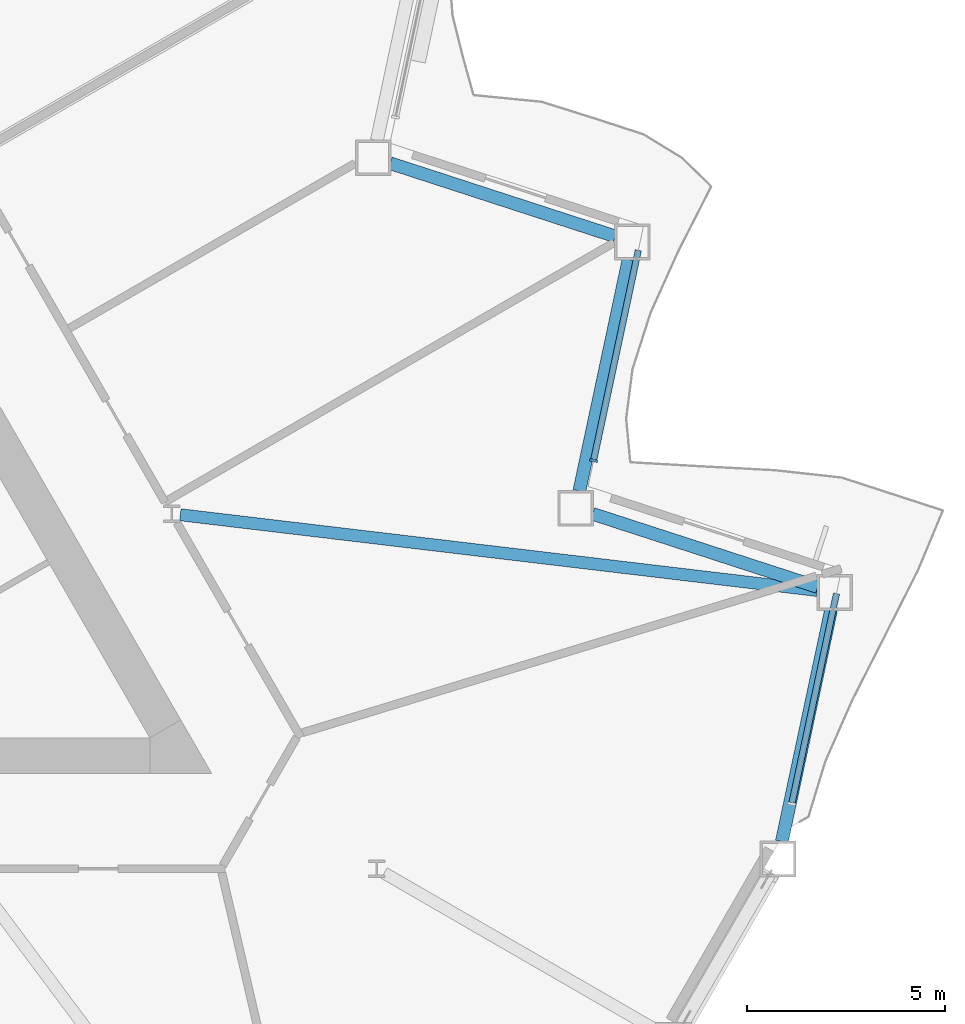
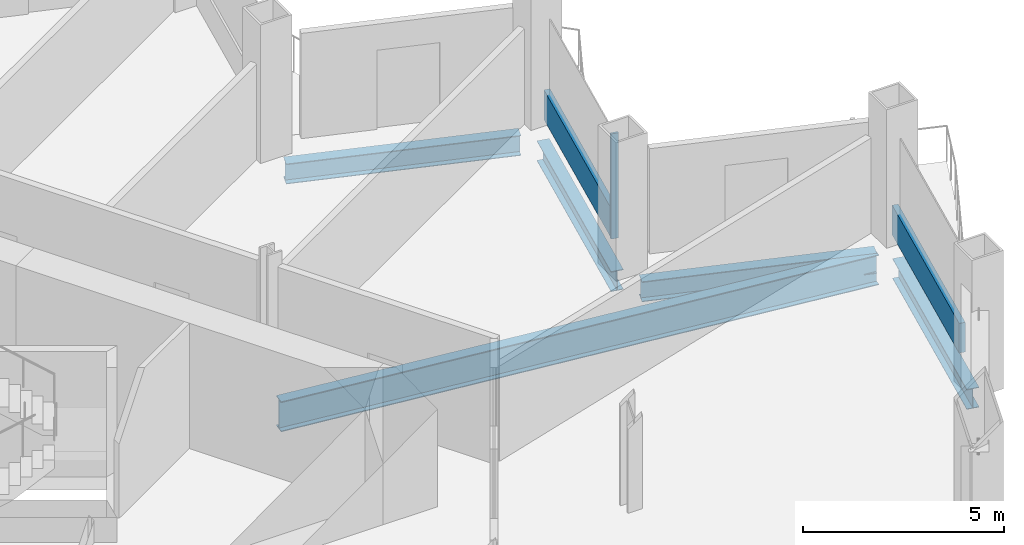
# One storey, part 6 of 21: 5 beams, 3 members, 2 elements without a shape of their own.
"""IFC4 building model written with IfcOpenShell, lengths in metres."""

from ifc_helpers import new_model, si_unit, direction, frame, origin, origin_2d, place, context, subcontext, project, spatial, rectangle, i_section, extrude, material, layer, layer_set, material_profile, profile_set, type_object, element, aggregate, save


model = new_model("IFC4")

# Units and contexts
model_context = context("Model", 3, precision=1e-05, world=origin(), true_north=direction((0.0, 1.0)))
body_context = subcontext(model_context, "Body", "Model", "MODEL_VIEW")
ifc_project = project(units=[si_unit("LENGTHUNIT", "METRE"), si_unit("AREAUNIT", "SQUARE_METRE"), si_unit("VOLUMEUNIT", "CUBIC_METRE"), si_unit("PLANEANGLEUNIT", "RADIAN"), si_unit("MASSUNIT", "GRAM", prefix="KILO")], contexts=[model_context])

# Site, building, storey
site_placement = place(None, origin())
site = spatial("IfcSite", under=ifc_project, at=site_placement, CompositionType="ELEMENT")
building_placement = place(site_placement, origin())
building = spatial("IfcBuilding", under=site, at=building_placement, Name="Cormorant Prow Tower", CompositionType="ELEMENT")
storey_placement = place(building_placement, frame((0.0, 0.0, 103.800048828125)))
storey = spatial("IfcBuildingStorey", under=building, at=storey_placement, Name="L21", CompositionType="ELEMENT", Elevation=103.800048828125)

# Curtain wall, member
ifc_material_1 = material(Name="Aluminium 6063-T6", Category="aluminium")
ifc_layer = layer(ifc_material_1, 0.199951171875)
ifc_layer_set = layer_set([ifc_layer], Name="Aluminium 6063-T6")
curtain_wall_type = type_object("IfcCurtainWallType", Name="Office unitised curtain wall 200", PredefinedType="NOTDEFINED", material=ifc_layer_set)
curtain_wall_1_placement = place(storey_placement, origin())
curtain_wall_1 = element("IfcCurtainWall", 1, at=curtain_wall_1_placement, inside=storey, type_object=curtain_wall_type, Name="Office curtain wall ENE02", PredefinedType="NOTDEFINED")
ifc_material_2 = material(Name="Aluminium 6063-T6", Category="aluminium")
ifc_material_profile_1 = material_profile(ifc_material_2, rectangle(XDim=0.199951171875, YDim=0.06005859375, at=origin_2d()), Name="Office mullion 60x200")
ifc_profile_set_1 = profile_set([ifc_material_profile_1], Name="Aluminium 6063-T6")
member_type_1 = type_object("IfcMemberType", Name="Office mullion 60x200", PredefinedType="MULLION", material=ifc_profile_set_1)
member_1_placement = place(storey_placement, frame((26.121337890625, -1.642333984375, 0.0), z_axis=(0.0, 0.0, 1.0), x_axis=(-0.978147583933, 0.207911769861, 0.0)))
member_1 = element("IfcMember", 2, at=member_1_placement, type_object=member_type_1, Name="Office mullion ENE02", PredefinedType="MULLION", context=body_context, shape_type="SweptSolid", body=[
    extrude(rectangle(XDim=0.199951171875, YDim=0.06005859375, at=origin_2d()), origin(), (0.0, 0.0, 1.0), 3.18896484375),
])

curtain_wall_2_placement = place(storey_placement, origin())
curtain_wall_2 = element("IfcCurtainWall", 3, at=curtain_wall_2_placement, inside=storey, type_object=curtain_wall_type, Name="Office curtain wall ENE00", PredefinedType="NOTDEFINED")
ifc_material_3 = material(Name="Terracotta", Category="masonry")
ifc_material_profile_2 = material_profile(ifc_material_3, rectangle(XDim=0.159912109375, YDim=0.89990234375, at=origin_2d()), Name="Office terracotta spandrel rail 160x900")
ifc_profile_set_2 = profile_set([ifc_material_profile_2], Name="Terracotta")
member_type_2 = type_object("IfcMemberType", Name="Office terracotta spandrel rail 160x900", PredefinedType="USERDEFINED", material=ifc_profile_set_2)
member_2_placement = place(storey_placement, frame((31.120361328125, -10.2607421875, 0.449951171875), z_axis=(0.207903748135, 0.978149288969, 0.0), x_axis=(-0.978149288969, 0.207903748135, 0.0)))
member_2 = element("IfcMember", 4, at=member_2_placement, type_object=member_type_2, Name="Office spandrel rail ENE00", ObjectType="TRANSOM", PredefinedType="USERDEFINED", context=body_context, shape_type="SweptSolid", body=[
    extrude(rectangle(XDim=0.159912109375, YDim=0.89990234375, at=origin_2d()), origin(), (0.0, 0.0, 1.0), 5.386474609375),
])
aggregate(curtain_wall_2, [member_2])

# Member
member_3_placement = place(storey_placement, frame((26.127685546875, -1.613037109375, 0.449951171875), z_axis=(0.207912965778, 0.978147329732, 0.0), x_axis=(-0.978147329732, 0.207912965778, 0.0)))
member_3 = element("IfcMember", 5, at=member_3_placement, type_object=member_type_2, Name="Office spandrel rail ENE02", ObjectType="TRANSOM", PredefinedType="USERDEFINED", context=body_context, shape_type="SweptSolid", body=[
    extrude(rectangle(XDim=0.159912109375, YDim=0.89990234375, at=origin_2d()), origin(), (0.0, 0.0, 1.0), 5.38623046875),
])

aggregate(curtain_wall_1, [member_1, member_3])

# Beams
ifc_material_4 = material(Name="Structural steel ASTM A992 Gr 50", Category="steel")
ifc_material_profile_3 = material_profile(ifc_material_4, i_section(OverallWidth=0.3046875, OverallDepth=0.914794921875, WebThickness=0.0166015625, FlangeThickness=0.02587890625, at=origin_2d()), Name="W36x160")
ifc_profile_set_3 = profile_set([ifc_material_profile_3], Name="Structural steel ASTM A992 Gr 50")
beam_type_1 = type_object("IfcBeamType", Name="Radial floor beam W36x160", PredefinedType="BEAM", material=ifc_profile_set_3)
beam_1_placement = place(storey_placement, frame((15.70849609375, -3.00732421875, -0.857421875), z_axis=(0.993009167646, -0.118037252474, 0.0), x_axis=(0.118037252474, 0.993009167646, 0.0)))
element("IfcBeam", 6, at=beam_1_placement, inside=storey, type_object=beam_type_1, Name="Radial floor beam FB1 10 L21", PredefinedType="BEAM", context=body_context, shape_type="SweptSolid", body=[
    extrude(i_section(OverallWidth=0.3046875, OverallDepth=0.914794921875, WebThickness=0.0166015625, FlangeThickness=0.02587890625, at=origin_2d()), origin(), (0.0, 0.0, 1.0), 16.15380859375),
])
ifc_material_5 = material(Name="Structural steel ASTM A992 Gr 50", Category="steel")
ifc_material_profile_4 = material_profile(ifc_material_5, i_section(OverallWidth=0.32373046875, OverallDepth=0.611083984375, WebThickness=0.0126953125, FlangeThickness=0.01904296875, at=origin_2d()), Name="W24x104")
ifc_profile_set_4 = profile_set([ifc_material_profile_4], Name="Structural steel ASTM A992 Gr 50")
beam_type_2 = type_object("IfcBeamType", Name="Spandrel beam W24x104", PredefinedType="SPANDREL", material=ifc_profile_set_4)
beam_2_placement = place(storey_placement, frame((30.86279296875, -11.23974609375, -0.70556640625), z_axis=(0.207912620873, 0.978147403044, 0.0), x_axis=(-0.978147403044, 0.207912620873, 0.0)))
element("IfcBeam", 7, at=beam_2_placement, inside=storey, type_object=beam_type_2, Name="Spandrel beam SB1 ENE00-ENE01 L21", PredefinedType="SPANDREL", context=body_context, shape_type="SweptSolid", body=[
    extrude(i_section(OverallWidth=0.32373046875, OverallDepth=0.611083984375, WebThickness=0.0126953125, FlangeThickness=0.01904296875, at=origin_2d()), origin(), (0.0, 0.0, 1.0), 5.962890625),
])
for number, where, z_axis, x_axis, name in (
    (8, (31.768310546875, -4.828125, -0.70556640625), (-0.951059340519, 0.309008302174, 0.0), (-0.309008302174, -0.951059340519, 0.0), "Spandrel beam SB1 ENE01-ENE02 L21"),
    (9, (25.762939453125, -2.40625, -0.70556640625), (0.207920947907, 0.978145633033, 0.0), (-0.978145633033, 0.207920947907, 0.0), "Spandrel beam SB1 ENE02-ENE03 L21"),
):
    element("IfcBeam", number, at=place(storey_placement, frame(where, z_axis=z_axis, x_axis=x_axis)), inside=storey, type_object=beam_type_2, Name=name, PredefinedType="SPANDREL", context=body_context, shape_type="SweptSolid", body=[
        extrude(i_section(OverallWidth=0.32373046875, OverallDepth=0.611083984375, WebThickness=0.0126953125, FlangeThickness=0.01904296875, at=origin_2d()), origin(), (0.0, 0.0, 1.0), 5.962646484375),
    ])
beam_3_placement = place(storey_placement, frame((26.668212890625, 4.00537109375, -0.70556640625), z_axis=(-0.951055430656, 0.309020335608, 0.0), x_axis=(-0.309020335608, -0.951055430656, 0.0)))
element("IfcBeam", 10, at=beam_3_placement, inside=storey, type_object=beam_type_2, Name="Spandrel beam SB1 ENE03-ENE04 L21", PredefinedType="SPANDREL", context=body_context, shape_type="SweptSolid", body=[
    extrude(i_section(OverallWidth=0.32373046875, OverallDepth=0.611083984375, WebThickness=0.0126953125, FlangeThickness=0.01904296875, at=origin_2d()), origin(), (0.0, 0.0, 1.0), 5.96240234375),
])

save(model, "model.ifc")
